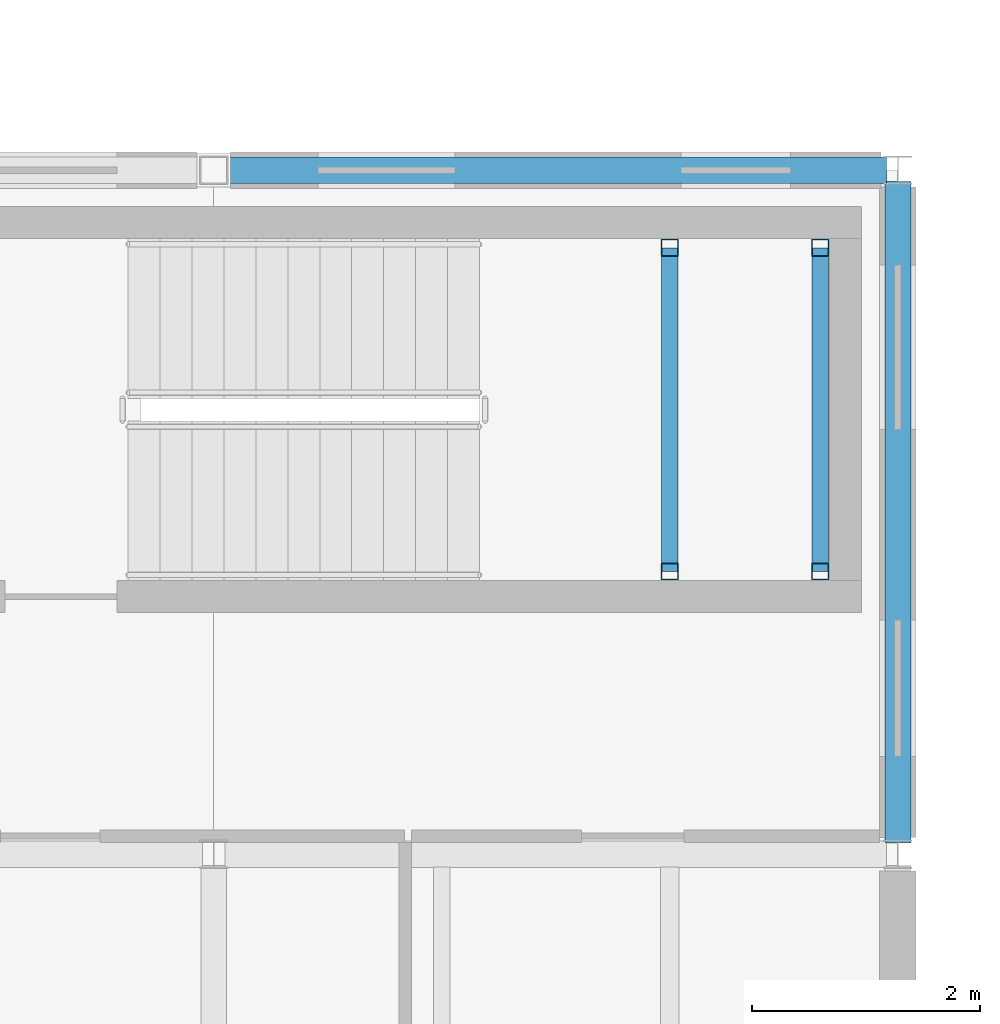
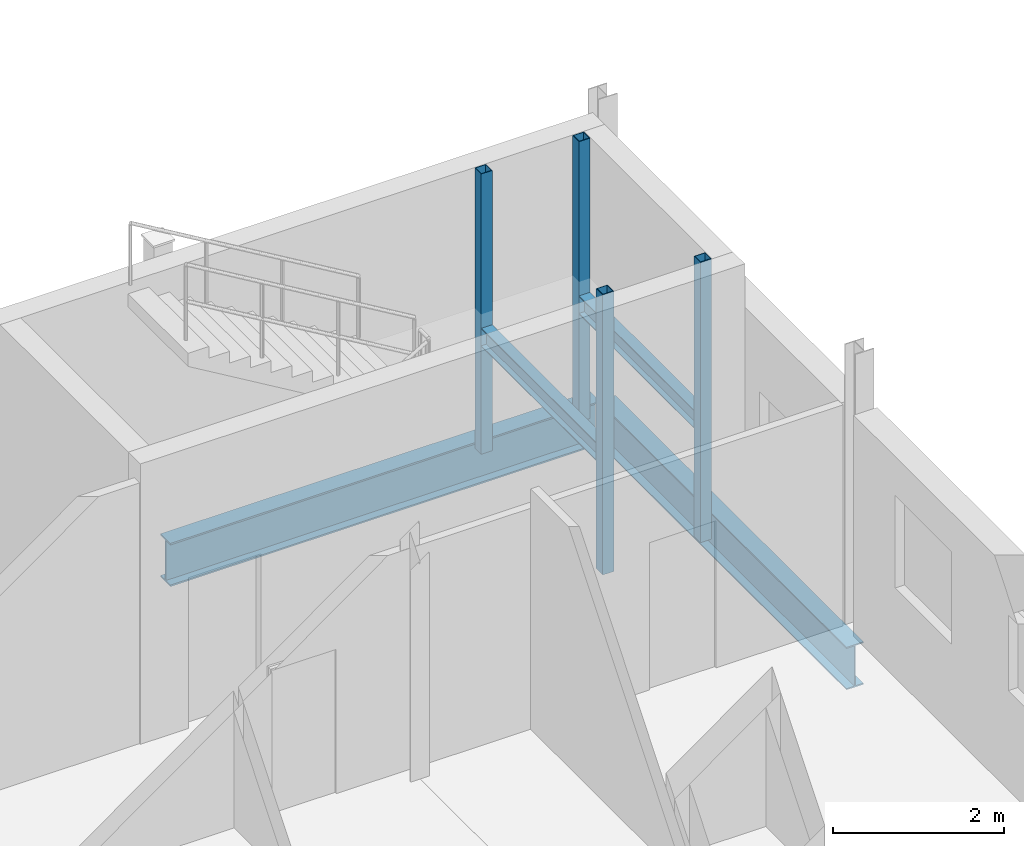
# One storey, part 38 of 92: 4 beams, 4 members.
"""IFC4 building model written with IfcOpenShell, lengths in metres."""

from ifc_helpers import new_model, si_unit, direction, frame, origin, origin_2d, place, context, subcontext, project, spatial, hollow_rectangle, i_section, extrude, material, material_profile, profile_set, type_object, element, save


model = new_model("IFC4")

# Units and contexts
model_context = context("Model", 3, precision=1e-05, world=origin(), true_north=direction((0.0, 1.0)))
body_context = subcontext(model_context, "Body", "Model", "MODEL_VIEW")
ifc_project = project(units=[si_unit("LENGTHUNIT", "METRE"), si_unit("AREAUNIT", "SQUARE_METRE"), si_unit("VOLUMEUNIT", "CUBIC_METRE"), si_unit("PLANEANGLEUNIT", "RADIAN"), si_unit("MASSUNIT", "GRAM", prefix="KILO")], contexts=[model_context])

# Site, building, storey
site_placement = place(None, origin())
site = spatial("IfcSite", under=ifc_project, at=site_placement, CompositionType="ELEMENT")
building_placement = place(site_placement, origin())
building = spatial("IfcBuilding", under=site, at=building_placement, Name="Siltcreek Boulevard Central Fire Station", CompositionType="ELEMENT")
storey_placement = place(building_placement, frame((0.0, 0.0, 6.0)))
storey = spatial("IfcBuildingStorey", under=building, at=storey_placement, Name="L02", CompositionType="ELEMENT", Elevation=6.0)

# Beams
ifc_material_1 = material(Name="Structural steel ASTM A992 Gr50", Category="steel")
ifc_material_profile_1 = material_profile(ifc_material_1, i_section(OverallWidth=0.22802734375, OverallDepth=0.60791015625, WebThickness=0.01123046875, FlangeThickness=0.017333984375, at=origin_2d()), Name="W610X113")
ifc_profile_set_1 = profile_set([ifc_material_profile_1], Name="Structural steel ASTM A992 Gr50")
beam_type_1 = type_object("IfcBeamType", Name="BM_W610X113", PredefinedType="BEAM", material=ifc_profile_set_1)
beam_1_placement = place(storey_placement, frame((166.199951171875, 24.10009765625, -0.6240234375), z_axis=(0.0, 1.0, 0.0), x_axis=(-1.0, 0.0, 0.0)))
element("IfcBeam", 1, at=beam_1_placement, inside=storey, type_object=beam_type_1, Name="L02 primary steel girder GY-0311", PredefinedType="BEAM", context=body_context, shape_type="SweptSolid", body=[
    extrude(i_section(OverallWidth=0.22802734375, OverallDepth=0.60791015625, WebThickness=0.01123046875, FlangeThickness=0.017333984375, at=origin_2d()), origin(), (0.0, 0.0, 1.0), 5.7998046875),
])
ifc_material_profile_2 = material_profile(ifc_material_1, i_section(OverallWidth=0.22998046875, OverallDepth=0.616943359375, WebThickness=0.01318359375, FlangeThickness=0.022216796875, at=origin_2d()), Name="W610X140")
ifc_profile_set_2 = profile_set([ifc_material_profile_2], Name="Structural steel ASTM A992 Gr50")
beam_type_2 = type_object("IfcBeamType", Name="BM_W610X140", PredefinedType="BEAM", material=ifc_profile_set_2)
beam_2_placement = place(storey_placement, frame((160.300048828125, 30.0, -0.62841796875), z_axis=(1.0, 0.0, 0.0), x_axis=(0.0, 1.0, 0.0)))
element("IfcBeam", 2, at=beam_2_placement, inside=storey, type_object=beam_type_2, Name="L02 primary steel girder GX-0275", PredefinedType="BEAM", context=body_context, shape_type="SweptSolid", body=[
    extrude(i_section(OverallWidth=0.22998046875, OverallDepth=0.616943359375, WebThickness=0.01318359375, FlangeThickness=0.022216796875, at=origin_2d()), origin(), (0.0, 0.0, 1.0), 5.800048828125),
])

# Members
ifc_material_2 = material(Name="Structural steel ASTM A500 GrC", Category="steel")
ifc_material_profile_3 = material_profile(ifc_material_2, hollow_rectangle(XDim=0.14990234375, YDim=0.14990234375, WallThickness=0.008056640625, at=origin_2d()), Name="HSS150X150X8.0")
ifc_profile_set_3 = profile_set([ifc_material_profile_3], Name="Structural steel ASTM A500 GrC")
member_type = type_object("IfcMemberType", Name="BR_HSS150_8", PredefinedType="BRACE", material=ifc_profile_set_3)
for number, where, z_axis, x_axis, name in (
    (3, (164.199951171875, 26.47998046875, 0.0), (0.0, 0.0, 1.0), (1.0, 0.0, 0.0), "L02 ST-V6B stair landing corner post SW"),
    (4, (164.199951171875, 29.320068359375, 0.0), (0.0, 0.0, 1.0), (1.0, 0.0, 0.0), "L02 ST-V6B stair landing corner post NW"),
    (5, (165.52001953125, 26.47998046875, 0.0), (0.0, 0.0, 1.0), (1.0, 0.0, 0.0), "L02 ST-V6B stair landing corner post SE"),
    (6, (165.52001953125, 29.320068359375, 0.0), (0.0, 0.0, 1.0), (1.0, 0.0, 0.0), "L02 ST-V6B stair landing corner post NE"),
):
    element("IfcMember", number, at=place(storey_placement, frame(where, z_axis=z_axis, x_axis=x_axis)), inside=storey, type_object=member_type, Name=name, PredefinedType="BRACE", context=body_context, shape_type="SweptSolid", body=[
        extrude(hollow_rectangle(XDim=0.14990234375, YDim=0.14990234375, WallThickness=0.008056640625, at=origin_2d()), origin(), (0.0, 0.0, 1.0), 4.0),
    ])

# Beams
ifc_material_profile_4 = material_profile(ifc_material_1, i_section(OverallWidth=0.14697265625, OverallDepth=0.261962890625, WebThickness=0.006591796875, FlangeThickness=0.01123046875, at=origin_2d()), Name="W250X39")
ifc_profile_set_4 = profile_set([ifc_material_profile_4], Name="Structural steel ASTM A992 Gr50")
beam_type_3 = type_object("IfcBeamType", Name="JST_W250X39", PredefinedType="JOIST", material=ifc_profile_set_4)
for number, where, z_axis, x_axis, name in (
    (7, (164.199951171875, 26.47998046875, 1.6689453125), (0.0, 1.0, 0.0), (-1.0, 0.0, 0.0), "L02 ST-V6B stair landing bearer MIDW"),
    (8, (165.52001953125, 26.47998046875, 1.6689453125), (0.0, 1.0, 0.0), (-1.0, 0.0, 0.0), "L02 ST-V6B stair landing bearer MIDE"),
):
    element("IfcBeam", number, at=place(storey_placement, frame(where, z_axis=z_axis, x_axis=x_axis)), inside=storey, type_object=beam_type_3, Name=name, PredefinedType="JOIST", context=body_context, shape_type="SweptSolid", body=[
        extrude(i_section(OverallWidth=0.14697265625, OverallDepth=0.261962890625, WebThickness=0.006591796875, FlangeThickness=0.01123046875, at=origin_2d()), origin(), (0.0, 0.0, 1.0), 2.840087890625),
    ])

save(model, "model.ifc")
